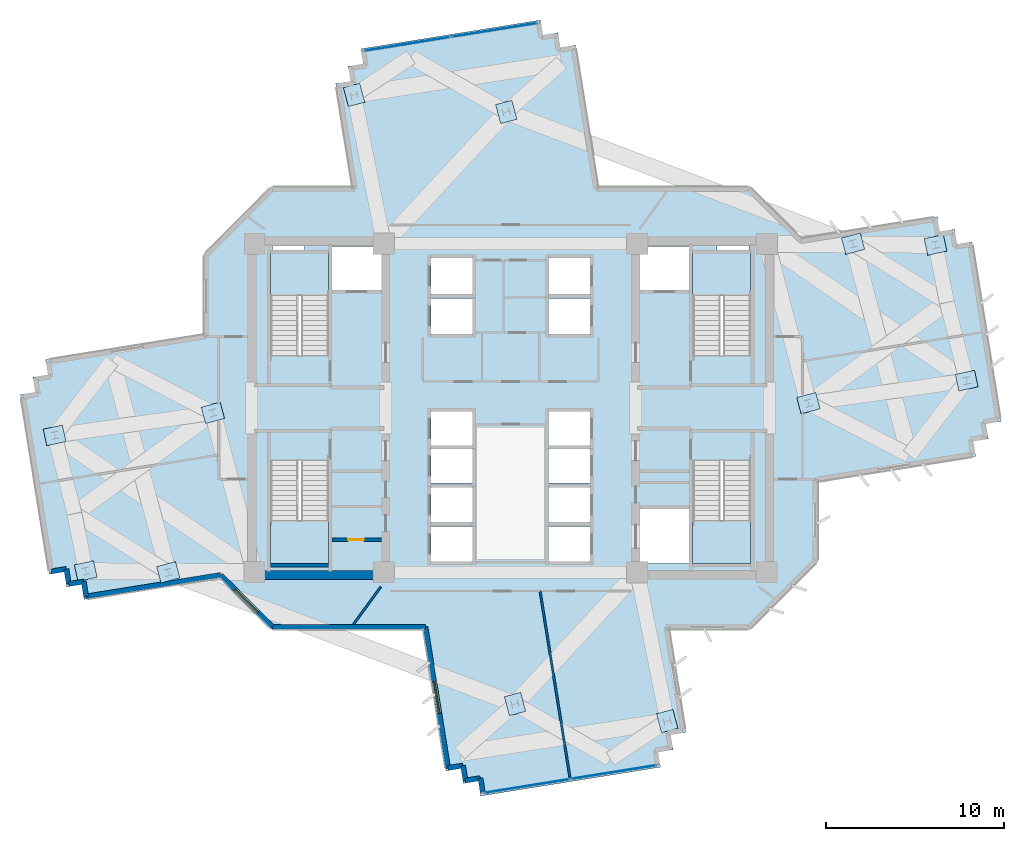
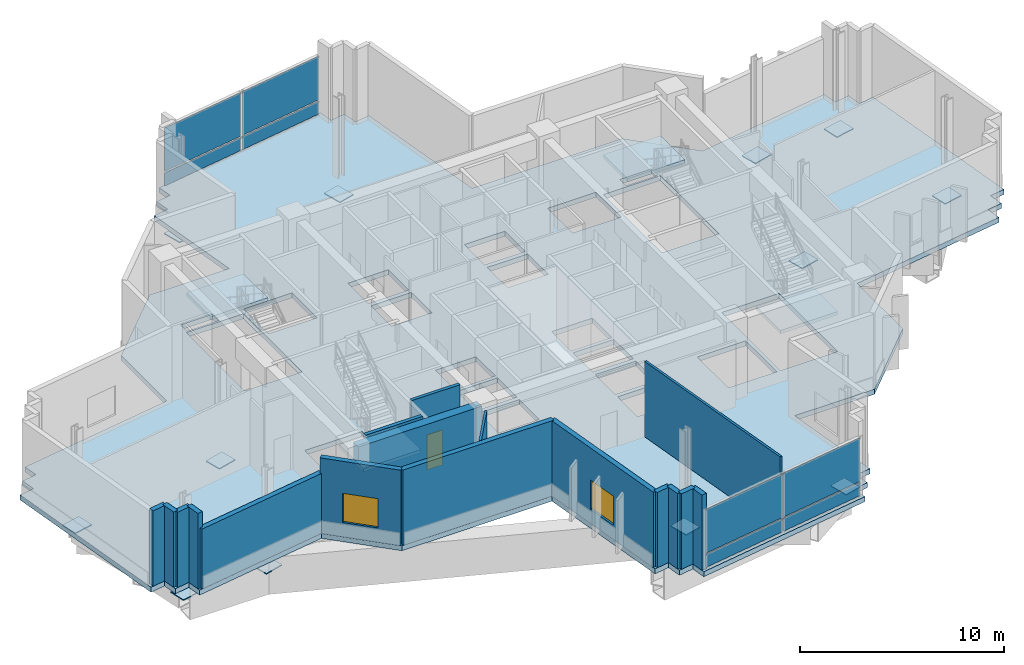
# One storey, part 4 of 12: 20 plates, 17 walls, 5 slabs, 2 windows, 1 door, 3 openings, 6 elements without a shape of their own.
"""IFC4 building model written with IfcOpenShell, lengths in metres."""

from ifc_helpers import new_model, si_unit, direction, frame, frame_2d, origin, origin_2d, place, context, subcontext, project, spatial, polyline, rectangle, outline, extrude, source, transform, mapped, material, layer, layer_set, type_object, element, fill, aggregate, save


model = new_model("IFC4")

# Units and contexts
model_context = context("Model", 3, precision=1e-05, world=origin(), true_north=direction((0.0, 1.0)))
body_context = subcontext(model_context, "Body", "Model", "MODEL_VIEW")
ifc_project = project(units=[si_unit("LENGTHUNIT", "METRE"), si_unit("AREAUNIT", "SQUARE_METRE"), si_unit("VOLUMEUNIT", "CUBIC_METRE"), si_unit("PLANEANGLEUNIT", "RADIAN"), si_unit("MASSUNIT", "GRAM", prefix="KILO")], contexts=[model_context])

# Site, building, storey
site_placement = place(None, origin())
site = spatial("IfcSite", under=ifc_project, at=site_placement, CompositionType="ELEMENT")
building_placement = place(site_placement, origin())
building = spatial("IfcBuilding", under=site, at=building_placement, Name="Zahravan Cultural Tower", CompositionType="ELEMENT")
storey_placement = place(building_placement, frame((0.0, 0.0, 130.800048828125)))
storey = spatial("IfcBuildingStorey", under=building, at=storey_placement, Name="L29", CompositionType="ELEMENT", Elevation=130.800048828125)

# Slab
ifc_material_1 = material(Name="Concrete C45/55", Category="concrete")
ifc_layer_1 = layer(ifc_material_1, 0.300048828125)
ifc_layer_set_1 = layer_set([ifc_layer_1], Name="Concrete C45/55")
slab_type_1 = type_object("IfcSlabType", Name="SL-POD-300", PredefinedType="FLOOR", material=ifc_layer_set_1)
slab_1_placement = place(storey_placement, frame((0.0, 0.0, -0.300048828125)))
element("IfcSlab", 1, at=slab_1_placement, inside=storey, type_object=slab_type_1, Name="L29 Structural Floor Slab", PredefinedType="FLOOR", context=body_context, shape_type="SweptSolid", body=[
    extrude(outline(polyline([(52.296630859375, 36.50341796875), (49.39990234375, 39.39990234375), (40.896484375, 39.39990234375), (39.623291015625, 47.331298828125), (38.783935546875, 47.196533203125), (38.6494140625, 48.035888671875), (37.81005859375, 47.901123046875), (37.67529296875, 48.740478515625), (27.604248046875, 47.12353515625), (27.739013671875, 46.284423828125), (26.899658203125, 46.149658203125), (27.034423828125, 45.310302734375), (26.1953125, 45.17578125), (27.122314453125, 39.39990234375), (22.60009765625, 39.39990234375), (18.800048828125, 35.60009765625), (18.800048828125, 31.1259765625), (9.94189453125, 29.703857421875), (10.07666015625, 28.86474609375), (9.237548828125, 28.72998046875), (9.372314453125, 27.890625), (8.532958984375, 27.756103515625), (10.149658203125, 17.684814453125), (10.989013671875, 17.819580078125), (11.123779296875, 16.98046875), (11.962890625, 17.114990234375), (12.09765625, 16.27587890625), (19.703369140625, 17.49658203125), (22.60009765625, 14.60009765625), (31.103515625, 14.60009765625), (32.376708984375, 6.668701171875), (33.216064453125, 6.803466796875), (33.3505859375, 5.964111328125), (34.18994140625, 6.098876953125), (34.32470703125, 5.259521484375), (44.395751953125, 6.87646484375), (44.260986328125, 7.715576171875), (45.100341796875, 7.850341796875), (44.965576171875, 8.689697265625), (45.8046875, 8.82421875), (44.877685546875, 14.60009765625), (49.39990234375, 14.60009765625), (53.199951171875, 18.39990234375), (53.199951171875, 22.8740234375), (62.05810546875, 24.296142578125), (61.92333984375, 25.13525390625), (62.762451171875, 25.27001953125), (62.627685546875, 26.109375), (63.467041015625, 26.243896484375), (61.850341796875, 36.315185546875), (61.010986328125, 36.180419921875), (60.876220703125, 37.01953125), (60.037109375, 36.885009765625), (59.90234375, 37.72412109375), (52.296630859375, 36.50341796875)]), holes=[polyline([(22.550048828125, 29.949951171875), (22.550048828125, 35.699951171875), (25.800048828125, 35.699951171875), (25.800048828125, 29.949951171875), (22.550048828125, 29.949951171875)]), polyline([(22.550048828125, 18.300048828125), (22.550048828125, 24.050048828125), (25.800048828125, 24.050048828125), (25.800048828125, 18.300048828125), (22.550048828125, 18.300048828125)]), polyline([(46.199951171875, 29.949951171875), (46.199951171875, 35.699951171875), (49.449951171875, 35.699951171875), (49.449951171875, 29.949951171875), (46.199951171875, 29.949951171875)]), polyline([(46.199951171875, 18.300048828125), (46.199951171875, 24.050048828125), (49.449951171875, 24.050048828125), (49.449951171875, 18.300048828125), (46.199951171875, 18.300048828125)]), polyline([(26.0, 33.60009765625), (26.0, 36.050048828125), (28.75, 36.050048828125), (28.75, 33.60009765625), (26.0, 33.60009765625)]), polyline([(43.25, 33.60009765625), (43.25, 36.050048828125), (46.0, 36.050048828125), (46.0, 33.60009765625), (43.25, 33.60009765625)]), polyline([(43.25, 18.300048828125), (43.25, 21.35009765625), (46.0, 21.35009765625), (46.0, 18.300048828125), (43.25, 18.300048828125)]), polyline([(31.550048828125, 33.39990234375), (31.550048828125, 35.39990234375), (33.85009765625, 35.39990234375), (33.85009765625, 33.39990234375), (31.550048828125, 33.39990234375)]), polyline([(31.550048828125, 31.14990234375), (31.550048828125, 33.14990234375), (33.85009765625, 33.14990234375), (33.85009765625, 31.14990234375), (31.550048828125, 31.14990234375)]), polyline([(38.14990234375, 33.39990234375), (38.14990234375, 35.39990234375), (40.449951171875, 35.39990234375), (40.449951171875, 33.39990234375), (38.14990234375, 33.39990234375)]), polyline([(38.14990234375, 31.14990234375), (38.14990234375, 33.14990234375), (40.449951171875, 33.14990234375), (40.449951171875, 31.14990234375), (38.14990234375, 31.14990234375)]), polyline([(31.550048828125, 20.60009765625), (31.550048828125, 22.550048828125), (33.85009765625, 22.550048828125), (33.85009765625, 20.60009765625), (31.550048828125, 20.60009765625)]), polyline([(31.550048828125, 18.39990234375), (31.550048828125, 20.35009765625), (33.85009765625, 20.35009765625), (33.85009765625, 18.39990234375), (31.550048828125, 18.39990234375)]), polyline([(38.14990234375, 20.60009765625), (38.14990234375, 22.550048828125), (40.449951171875, 22.550048828125), (40.449951171875, 20.60009765625), (38.14990234375, 20.60009765625)]), polyline([(38.14990234375, 18.39990234375), (38.14990234375, 20.35009765625), (40.449951171875, 20.35009765625), (40.449951171875, 18.39990234375), (38.14990234375, 18.39990234375)]), polyline([(31.550048828125, 24.89990234375), (31.550048828125, 26.800048828125), (33.85009765625, 26.800048828125), (33.85009765625, 24.89990234375), (31.550048828125, 24.89990234375)]), polyline([(31.550048828125, 22.800048828125), (31.550048828125, 24.699951171875), (33.85009765625, 24.699951171875), (33.85009765625, 22.800048828125), (31.550048828125, 22.800048828125)]), polyline([(38.14990234375, 24.89990234375), (38.14990234375, 26.800048828125), (40.449951171875, 26.800048828125), (40.449951171875, 24.89990234375), (38.14990234375, 24.89990234375)]), polyline([(38.14990234375, 22.800048828125), (38.14990234375, 24.699951171875), (40.449951171875, 24.699951171875), (40.449951171875, 22.800048828125), (38.14990234375, 22.800048828125)]), polyline([(22.64990234375, 35.800048828125), (22.64990234375, 36.419921875), (24.449951171875, 36.419921875), (24.449951171875, 35.800048828125), (22.64990234375, 35.800048828125)]), polyline([(47.550048828125, 35.800048828125), (47.550048828125, 36.419921875), (49.35009765625, 36.419921875), (49.35009765625, 35.800048828125), (47.550048828125, 35.800048828125)])]), origin(), (0.0, 0.0, 1.0), 0.300048828125),
])

# Stair, slab
stair_type = type_object("IfcStairType", Name="STR-DL-1550-480", PredefinedType="HALF_TURN_STAIR", material=ifc_material_1)
stair_1_placement = place(storey_placement, origin())
stair_1 = element("IfcStair", 2, at=stair_1_placement, inside=storey, type_object=stair_type, Name="L29 West Core North Exit Stair ST-W1", PredefinedType="HALF_TURN_STAIR")
ifc_layer_2 = layer(ifc_material_1, 0.199951171875)
ifc_layer_set_2 = layer_set([ifc_layer_2], Name="Concrete C45/55")
slab_type_2 = type_object("IfcSlabType", Name="SL-STAIR-LND200", PredefinedType="LANDING", material=ifc_layer_set_2)
slab_2_placement = place(storey_placement, frame((0.0, 0.0, 2.199951171875)))
slab_2 = element("IfcSlab", 3, at=slab_2_placement, type_object=slab_type_2, Name="ST-W1 landing 1", PredefinedType="LANDING", context=body_context, shape_type="SweptSolid", body=[
    extrude(outline(polyline([(25.800048828125, 33.31005859375), (25.800048828125, 35.699951171875), (22.550048828125, 35.699951171875), (22.550048828125, 33.31005859375), (25.800048828125, 33.31005859375)])), origin(), (0.0, 0.0, 1.0), 0.199951171875),
])
aggregate(stair_1, [slab_2])

stair_2_placement = place(storey_placement, origin())
stair_2 = element("IfcStair", 4, at=stair_2_placement, inside=storey, type_object=stair_type, Name="L29 West Core South Exit Stair ST-W2", PredefinedType="HALF_TURN_STAIR")
slab_3_placement = place(storey_placement, frame((0.0, 0.0, 2.199951171875)))
slab_3 = element("IfcSlab", 5, at=slab_3_placement, type_object=slab_type_2, Name="ST-W2 landing 1", PredefinedType="LANDING", context=body_context, shape_type="SweptSolid", body=[
    extrude(outline(polyline([(22.550048828125, 20.68994140625), (22.550048828125, 18.300048828125), (25.800048828125, 18.300048828125), (25.800048828125, 20.68994140625), (22.550048828125, 20.68994140625)])), origin(), (0.0, 0.0, 1.0), 0.199951171875),
])
aggregate(stair_2, [slab_3])

stair_3_placement = place(storey_placement, origin())
stair_3 = element("IfcStair", 6, at=stair_3_placement, inside=storey, type_object=stair_type, Name="L29 East Core North Exit Stair ST-E1", PredefinedType="HALF_TURN_STAIR")
slab_4_placement = place(storey_placement, frame((0.0, 0.0, 2.199951171875)))
slab_4 = element("IfcSlab", 7, at=slab_4_placement, type_object=slab_type_2, Name="ST-E1 landing 1", PredefinedType="LANDING", context=body_context, shape_type="SweptSolid", body=[
    extrude(outline(polyline([(49.449951171875, 33.31005859375), (49.449951171875, 35.699951171875), (46.199951171875, 35.699951171875), (46.199951171875, 33.31005859375), (49.449951171875, 33.31005859375)])), origin(), (0.0, 0.0, 1.0), 0.199951171875),
])
aggregate(stair_3, [slab_4])

stair_4_placement = place(storey_placement, origin())
stair_4 = element("IfcStair", 8, at=stair_4_placement, inside=storey, type_object=stair_type, Name="L29 East Core South Exit Stair ST-E2", PredefinedType="HALF_TURN_STAIR")
slab_5_placement = place(storey_placement, frame((0.0, 0.0, 2.199951171875)))
slab_5 = element("IfcSlab", 9, at=slab_5_placement, type_object=slab_type_2, Name="ST-E2 landing 1", PredefinedType="LANDING", context=body_context, shape_type="SweptSolid", body=[
    extrude(outline(polyline([(46.199951171875, 20.68994140625), (46.199951171875, 18.300048828125), (49.449951171875, 18.300048828125), (49.449951171875, 20.68994140625), (46.199951171875, 20.68994140625)])), origin(), (0.0, 0.0, 1.0), 0.199951171875),
])
aggregate(stair_4, [slab_5])

# Plates
ifc_material_2 = material(Name="Steel ASTM A572 Grade 50", Category="steel")
ifc_layer_3 = layer(ifc_material_2, 0.06005859375)
ifc_layer_set_3 = layer_set([ifc_layer_3], Name="Steel ASTM A572 Grade 50")
plate_type_1 = type_object("IfcPlateType", Name="PL-NODE-60", PredefinedType="SHEET", material=ifc_layer_set_3)
shared_shape_1 = source(origin(), body_context, "Body", "SweptSolid", [
    extrude(rectangle(XDim=1.10009765625, YDim=0.949951171875, at=origin_2d()), origin(), (0.0, 0.0, 1.0), 0.06005859375),
])
for number, where, z_axis, x_axis, name in (
    (10, (19.315673828125, 26.72900390625, -1.130126953125), (0.0, 0.0, 1.0), (0.966823388604, 0.255445757936, 0.0), "L29 Transfer Node Plate TN2"),
    (11, (10.447265625, 25.46533203125, -1.130126953125), (0.0, 0.0, 1.0), (0.977415894286, 0.211324796455, 0.0), "L29 Transfer Node Plate TN2"),
    (12, (12.193359375, 17.86279296875, -1.130126953125), (0.0, 0.0, 1.0), (0.977415894286, 0.211324796455, 0.0), "L29 Transfer Node Plate TN2"),
    (13, (16.815185546875, 17.7939453125, -1.130126953125), (0.0, 0.0, 1.0), (0.966823388604, 0.255445757936, 0.0), "L29 Transfer Node Plate TN2"),
    (14, (36.245361328125, 10.412353515625, -1.130126953125), (0.0, 0.0, 1.0), (-0.255445757936, 0.966823388604, 0.0), "L29 Transfer Node Plate TN2"),
    (15, (44.77197265625, 9.458740234375, -1.130126953125), (0.0, 0.0, 1.0), (-0.255445757936, 0.966823388604, 0.0), "L29 Transfer Node Plate TN2"),
    (16, (52.684326171875, 27.27099609375, -1.130126953125), (0.0, 0.0, 1.0), (0.966823388604, 0.255445757936, 0.0), "L29 Transfer Node Plate TN2"),
    (17, (61.552734375, 28.53466796875, -1.130126953125), (0.0, 0.0, 1.0), (0.977415894286, 0.211324796455, 0.0), "L29 Transfer Node Plate TN2"),
    (18, (59.806640625, 36.13720703125, -1.130126953125), (0.0, 0.0, 1.0), (0.977415894286, 0.211324796455, 0.0), "L29 Transfer Node Plate TN2"),
    (19, (55.184814453125, 36.2060546875, -1.130126953125), (0.0, 0.0, 1.0), (0.966823388604, 0.255445757936, 0.0), "L29 Transfer Node Plate TN2"),
    (20, (35.754638671875, 43.587646484375, -1.130126953125), (0.0, 0.0, 1.0), (-0.255445757936, 0.966823388604, 0.0), "L29 Transfer Node Plate TN2"),
    (21, (27.22802734375, 44.541259765625, -1.130126953125), (0.0, 0.0, 1.0), (-0.255445757936, 0.966823388604, 0.0), "L29 Transfer Node Plate TN2"),
):
    element("IfcPlate", number, at=place(storey_placement, frame(where, z_axis=z_axis, x_axis=x_axis)), inside=storey, type_object=plate_type_1, Name=name, PredefinedType="SHEET", context=body_context, shape_type="MappedRepresentation", body=[
        mapped(shared_shape_1, transform((0.0, 0.0, 0.0), x_axis=(1.0, 0.0, 0.0), y_axis=(0.0, 1.0, 0.0), z_axis=(0.0, 0.0, 1.0), scale=1.0)),
    ])

# Curtain wall, plates
ifc_material_3 = material(Name="Anodised bronze-aluminium mullion", Category="aluminium")
ifc_layer_4 = layer(ifc_material_3, 0.239990234375)
ifc_layer_set_4 = layer_set([ifc_layer_4], Name="Anodised bronze-aluminium mullion")
curtain_wall_type = type_object("IfcCurtainWallType", Name="CW-SYS-5", PredefinedType="USERDEFINED", material=ifc_layer_set_4)
curtain_wall_1_placement = place(storey_placement, origin())
curtain_wall_1 = element("IfcCurtainWall", 22, at=curtain_wall_1_placement, inside=storey, type_object=curtain_wall_type, Name="L29 Recessed Curtain Wall CW-5.1", ObjectType="RECESSED GLAZING", PredefinedType="USERDEFINED")
ifc_material_4 = material(Name="Low-E solar-control double glazing", Category="glass")
ifc_layer_5 = layer(ifc_material_4, 0.035888671875)
ifc_layer_set_5 = layer_set([ifc_layer_5], Name="Low-E solar-control double glazing")
plate_type_2 = type_object("IfcPlateType", Name="CWP-CW-5", PredefinedType="CURTAIN_PANEL", material=ifc_layer_set_5)
shared_shape_2 = source(origin(), body_context, "Body", "SweptSolid", [
    extrude(rectangle(XDim=4.83251953125, YDim=0.035888671875, at=origin_2d()), origin(), (0.0, 0.0, 1.0), 0.7724609375),
])
plate_1_placement = place(storey_placement, frame((41.765625, 6.595947265625, 0.0849609375), z_axis=(0.0, 0.0, 1.0), x_axis=(-0.987357965773, -0.158506300899, 0.0)))
plate_1 = element("IfcPlate", 23, at=plate_1_placement, type_object=plate_type_2, Name="CW-5 panel 1.1", PredefinedType="CURTAIN_PANEL", context=body_context, shape_type="MappedRepresentation", body=[
    mapped(shared_shape_2, transform((0.0, 0.0, 0.0), x_axis=(1.0, 0.0, 0.0), y_axis=(0.0, 1.0, 0.0), z_axis=(0.0, 0.0, 1.0), scale=1.0)),
])
plate_2_placement = place(storey_placement, frame((36.910400390625, 5.81640625, 0.0849609375), z_axis=(0.0, 0.0, 1.0), x_axis=(-0.987357965773, -0.158506300899, 0.0)))
plate_2 = element("IfcPlate", 24, at=plate_2_placement, type_object=plate_type_2, Name="CW-5 panel 2.1", PredefinedType="CURTAIN_PANEL", context=body_context, shape_type="MappedRepresentation", body=[
    mapped(shared_shape_2, transform((0.0, 0.0, 0.0), x_axis=(1.0, 0.0, 0.0), y_axis=(0.0, 1.0, 0.0), z_axis=(0.0, 0.0, 1.0), scale=1.0)),
])

curtain_wall_2_placement = place(storey_placement, origin())
curtain_wall_2 = element("IfcCurtainWall", 25, at=curtain_wall_2_placement, inside=storey, type_object=curtain_wall_type, Name="L29 Recessed Curtain Wall CW-5.2", ObjectType="RECESSED GLAZING", PredefinedType="USERDEFINED")
plate_3_placement = place(storey_placement, frame((30.234375, 47.404052734375, 0.0849609375), z_axis=(0.0, 0.0, 1.0), x_axis=(0.987357965773, 0.158506300899, 0.0)))
plate_3 = element("IfcPlate", 26, at=plate_3_placement, type_object=plate_type_2, Name="CW-5 panel 1.1", PredefinedType="CURTAIN_PANEL", context=body_context, shape_type="MappedRepresentation", body=[
    mapped(shared_shape_2, transform((0.0, 0.0, 0.0), x_axis=(1.0, 0.0, 0.0), y_axis=(0.0, 1.0, 0.0), z_axis=(0.0, 0.0, 1.0), scale=1.0)),
])
plate_4_placement = place(storey_placement, frame((35.089599609375, 48.18359375, 0.0849609375), z_axis=(0.0, 0.0, 1.0), x_axis=(0.987357965773, 0.158506300899, 0.0)))
plate_4 = element("IfcPlate", 27, at=plate_4_placement, type_object=plate_type_2, Name="CW-5 panel 2.1", PredefinedType="CURTAIN_PANEL", context=body_context, shape_type="MappedRepresentation", body=[
    mapped(shared_shape_2, transform((0.0, 0.0, 0.0), x_axis=(1.0, 0.0, 0.0), y_axis=(0.0, 1.0, 0.0), z_axis=(0.0, 0.0, 1.0), scale=1.0)),
])

# Plate
shared_shape_3 = source(origin(), body_context, "Body", "SweptSolid", [
    extrude(rectangle(XDim=4.83251953125, YDim=0.035888671875, at=origin_2d()), origin(), (0.0, 0.0, 1.0), 2.612548828125),
])
plate_5_placement = place(storey_placement, frame((41.765625, 6.595947265625, 0.9423828125), z_axis=(0.0, 0.0, 1.0), x_axis=(-0.987357965773, -0.158506300899, 0.0)))
plate_5 = element("IfcPlate", 28, at=plate_5_placement, type_object=plate_type_2, Name="CW-5 panel 1.2", PredefinedType="CURTAIN_PANEL", context=body_context, shape_type="MappedRepresentation", body=[
    mapped(shared_shape_3, transform((0.0, 0.0, 0.0), x_axis=(1.0, 0.0, 0.0), y_axis=(0.0, 1.0, 0.0), z_axis=(0.0, 0.0, 1.0), scale=1.0)),
])

plate_6_placement = place(storey_placement, frame((36.910400390625, 5.81640625, 0.9423828125), z_axis=(0.0, 0.0, 1.0), x_axis=(-0.987357965773, -0.158506300899, 0.0)))
plate_6 = element("IfcPlate", 29, at=plate_6_placement, type_object=plate_type_2, Name="CW-5 panel 2.2", PredefinedType="CURTAIN_PANEL", context=body_context, shape_type="MappedRepresentation", body=[
    mapped(shared_shape_3, transform((0.0, 0.0, 0.0), x_axis=(1.0, 0.0, 0.0), y_axis=(0.0, 1.0, 0.0), z_axis=(0.0, 0.0, 1.0), scale=1.0)),
])

aggregate(curtain_wall_1, [plate_1, plate_5, plate_2, plate_6])

plate_7_placement = place(storey_placement, frame((30.234375, 47.404052734375, 0.9423828125), z_axis=(0.0, 0.0, 1.0), x_axis=(0.987357965773, 0.158506300899, 0.0)))
plate_7 = element("IfcPlate", 30, at=plate_7_placement, type_object=plate_type_2, Name="CW-5 panel 1.2", PredefinedType="CURTAIN_PANEL", context=body_context, shape_type="MappedRepresentation", body=[
    mapped(shared_shape_3, transform((0.0, 0.0, 0.0), x_axis=(1.0, 0.0, 0.0), y_axis=(0.0, 1.0, 0.0), z_axis=(0.0, 0.0, 1.0), scale=1.0)),
])

plate_8_placement = place(storey_placement, frame((35.089599609375, 48.18359375, 0.9423828125), z_axis=(0.0, 0.0, 1.0), x_axis=(0.987357965773, 0.158506300899, 0.0)))
plate_8 = element("IfcPlate", 31, at=plate_8_placement, type_object=plate_type_2, Name="CW-5 panel 2.2", PredefinedType="CURTAIN_PANEL", context=body_context, shape_type="MappedRepresentation", body=[
    mapped(shared_shape_3, transform((0.0, 0.0, 0.0), x_axis=(1.0, 0.0, 0.0), y_axis=(0.0, 1.0, 0.0), z_axis=(0.0, 0.0, 1.0), scale=1.0)),
])

aggregate(curtain_wall_2, [plate_3, plate_7, plate_4, plate_8])

# Wall, opening, window
ifc_material_5 = material(Name="Precast concrete C40/50", Category="concrete")
ifc_layer_6 = layer(ifc_material_5, 0.280029296875)
ifc_layer_set_6 = layer_set([ifc_layer_6], Name="Precast concrete C40/50")
wall_type_1 = type_object("IfcWallType", Name="EW-TC-280", PredefinedType="SOLIDWALL", material=ifc_layer_set_6)
wall_1_placement = place(storey_placement, frame((32.492919921875, 6.8291015625, 0.0), z_axis=(0.0, 0.0, 1.0), x_axis=(-0.158511008443, 0.987357210032, 0.0)))
wall_1 = element("IfcWall", 32, at=wall_1_placement, inside=storey, type_object=wall_type_1, Name="L29 Exterior Masonry Frame Wall 24", PredefinedType="SOLIDWALL", context=body_context, shape_type="SweptSolid", body=[
    extrude(rectangle(XDim=8.01220703125, YDim=0.280029296875, at=frame_2d((4.006103515625, 0.0))), origin(), (0.0, 0.0, 1.0), 4.52001953125),
])
opening_1_placement = place(wall_1_placement, frame((3.10595703125, 0.0, 0.85009765625)))
opening_1 = element("IfcOpeningElement", 33, at=opening_1_placement, cuts=wall_1, Name="Opening WN-02", PredefinedType="OPENING", context=body_context, shape_type="SweptSolid", body=[
    extrude(rectangle(XDim=1.800048828125, YDim=1.75, at=frame_2d((0.89990234375, 0.875))), frame((0.0, 0.14990234375, 0.0), z_axis=(0.0, -1.0, 0.0), x_axis=(1.0, 0.0, 0.0)), (0.0, 0.0, 1.0), 0.300048828125),
])
window_type = type_object("IfcWindowType", Name="WN-REC-1800X1750", PartitioningType="DOUBLE_PANEL_VERTICAL", PredefinedType="WINDOW", material=ifc_material_4)
shared_shape_4 = source(origin(), body_context, "Body", "SweptSolid", [
    extrude(rectangle(XDim=1.800048828125, YDim=1.75, at=frame_2d((0.89990234375, 0.875))), frame((0.0, 0.030029296875, 0.0), z_axis=(0.0, -1.0, 0.0), x_axis=(1.0, 0.0, 0.0)), (0.0, 0.0, 1.0), 0.06005859375),
])
window_1_placement = place(opening_1_placement, origin())
window_1 = element("IfcWindow", 34, at=window_1_placement, inside=storey, type_object=window_type, Name="L29 Recessed Solar Window 05", OverallHeight=1.75, OverallWidth=1.800048828125, PartitioningType="DOUBLE_PANEL_VERTICAL", PredefinedType="WINDOW", context=body_context, shape_type="MappedRepresentation", body=[
    mapped(shared_shape_4, transform((0.0, 0.0, 0.0), x_axis=(1.0, 0.0, 0.0), y_axis=(0.0, 1.0, 0.0), z_axis=(0.0, 0.0, 1.0), scale=1.0)),
])
fill(opening_1, window_1)

wall_2_placement = place(storey_placement, frame((22.657958984375, 14.739990234375, 0.0), z_axis=(0.0, 0.0, 1.0), x_axis=(-0.707106781187, 0.707106781187, 0.0)))
wall_2 = element("IfcWall", 35, at=wall_2_placement, inside=storey, type_object=wall_type_1, Name="L29 Exterior Masonry Frame Wall 26", PredefinedType="SOLIDWALL", context=body_context, shape_type="SweptSolid", body=[
    extrude(rectangle(XDim=4.110107421875, YDim=0.280029296875, at=frame_2d((2.05517578125, 0.0))), origin(), (0.0, 0.0, 1.0), 4.52001953125),
])
opening_2_placement = place(wall_2_placement, frame((1.155029296875, 0.0, 0.85009765625)))
opening_2 = element("IfcOpeningElement", 36, at=opening_2_placement, cuts=wall_2, Name="Opening WN-02", PredefinedType="OPENING", context=body_context, shape_type="SweptSolid", body=[
    extrude(rectangle(XDim=1.800048828125, YDim=1.75, at=frame_2d((0.89990234375, 0.875))), frame((0.0, 0.14990234375, 0.0), z_axis=(0.0, -1.0, 0.0), x_axis=(1.0, 0.0, 0.0)), (0.0, 0.0, 1.0), 0.300048828125),
])
window_2_placement = place(opening_2_placement, origin())
window_2 = element("IfcWindow", 37, at=window_2_placement, inside=storey, type_object=window_type, Name="L29 Recessed Solar Window 06", OverallHeight=1.75, OverallWidth=1.800048828125, PartitioningType="DOUBLE_PANEL_VERTICAL", PredefinedType="WINDOW", context=body_context, shape_type="MappedRepresentation", body=[
    mapped(shared_shape_4, transform((0.0, 0.0, 0.0), x_axis=(1.0, 0.0, 0.0), y_axis=(0.0, 1.0, 0.0), z_axis=(0.0, 0.0, 1.0), scale=1.0)),
])
fill(opening_2, window_2)

# Wall, opening, door
ifc_material_6 = material(Name="Gypsum plasterboard partition")
ifc_layer_7 = layer(ifc_material_6, 0.179931640625)
ifc_layer_set_7 = layer_set([ifc_layer_7], Name="Gypsum plasterboard partition")
wall_type_2 = type_object("IfcWallType", Name="W-COMP-180", PredefinedType="PARTITIONING", material=ifc_layer_set_7)
wall_3_placement = place(storey_placement, frame((26.0, 19.6201171875, 0.0), z_axis=(0.0, 0.0, 1.0), x_axis=(1.0, 0.0, 0.0)))
wall_3 = element("IfcWall", 38, at=wall_3_placement, inside=storey, type_object=wall_type_2, Name="L29 Interior Wall 026", PredefinedType="PARTITIONING", context=body_context, shape_type="SweptSolid", body=[
    extrude(rectangle(XDim=2.75, YDim=0.179931640625, at=frame_2d((1.375, 0.0))), origin(), (0.0, 0.0, 1.0), 4.52001953125),
])
opening_3_placement = place(wall_3_placement, frame((0.89990234375, 0.0, 0.0)))
opening_3 = element("IfcOpeningElement", 39, at=opening_3_placement, cuts=wall_3, Name="Opening D-L29-09", PredefinedType="OPENING", context=body_context, shape_type="SweptSolid", body=[
    extrude(rectangle(XDim=0.8798828125, YDim=2.10009765625, at=frame_2d((0.43994140625, 1.050048828125))), frame((0.0, 0.099853515625, 0.0), z_axis=(0.0, -1.0, 0.0), x_axis=(1.0, 0.0, 0.0)), (0.0, 0.0, 1.0), 0.199951171875),
])
door_type = type_object("IfcDoorType", Name="DR-SVC-880", OperationType="NOTDEFINED", PredefinedType="DOOR", material=ifc_material_2)
shared_shape_5 = source(origin(), body_context, "Body", "SweptSolid", [
    extrude(rectangle(XDim=0.8798828125, YDim=2.10009765625, at=frame_2d((0.43994140625, 1.050048828125))), frame((0.0, 0.02490234375, 0.0), z_axis=(0.0, -1.0, 0.0), x_axis=(1.0, 0.0, 0.0)), (0.0, 0.0, 1.0), 0.050048828125),
])
door_placement = place(opening_3_placement, origin())
door = element("IfcDoor", 40, at=door_placement, inside=storey, type_object=door_type, Name="L29 Door D-L29-09", OperationType="SINGLE_SWING_RIGHT", OverallHeight=2.10009765625, OverallWidth=0.8798828125, PredefinedType="DOOR", context=body_context, shape_type="MappedRepresentation", body=[
    mapped(shared_shape_5, transform((0.0, 0.0, 0.0), x_axis=(1.0, 0.0, 0.0), y_axis=(0.0, 1.0, 0.0), z_axis=(0.0, 0.0, 1.0), scale=1.0)),
])
fill(opening_3, door)

# Walls
ifc_material_7 = material(Name="Concrete C60/75", Category="concrete")
ifc_layer_8 = layer(ifc_material_7, 0.5)
ifc_layer_set_8 = layer_set([ifc_layer_8], Name="Concrete C60/75")
wall_type_3 = type_object("IfcWallType", Name="CW-SHEAR-500-C60", PredefinedType="SHEAR", material=ifc_layer_set_8)
shared_shape_6 = source(origin(), body_context, "Body", "SweptSolid", [
    extrude(rectangle(XDim=7.0, YDim=0.5, at=frame_2d((3.5, 0.0))), origin(), (0.0, 0.0, 1.0), 4.52001953125),
])
wall_4_placement = place(storey_placement, frame((21.75, 17.64990234375, 0.0), z_axis=(0.0, 0.0, 1.0), x_axis=(1.0, 0.0, 0.0)))
element("IfcWall", 41, at=wall_4_placement, inside=storey, type_object=wall_type_3, Name="L29 Core Shear Wall CW-W-S-L29", PredefinedType="SHEAR", context=body_context, shape_type="MappedRepresentation", body=[
    mapped(shared_shape_6, transform((0.0, 0.0, 0.0), x_axis=(1.0, 0.0, 0.0), y_axis=(0.0, 1.0, 0.0), z_axis=(0.0, 0.0, 1.0), scale=1.0)),
])
shared_shape_7 = source(origin(), body_context, "Body", "SweptSolid", [
    extrude(rectangle(XDim=7.634521484375, YDim=0.280029296875, at=frame_2d((3.8173828125, 0.0))), origin(), (0.0, 0.0, 1.0), 3.593017578125),
])
wall_5_placement = place(storey_placement, frame((19.751708984375, 17.646240234375, 0.0), z_axis=(0.0, 0.0, 1.0), x_axis=(-0.987361485622, -0.158484373712, 0.0)))
element("IfcWall", 42, at=wall_5_placement, inside=storey, type_object=wall_type_1, Name="L29 Exterior Masonry Frame Wall 27", PredefinedType="SOLIDWALL", context=body_context, shape_type="MappedRepresentation", body=[
    mapped(shared_shape_7, transform((0.0, 0.0, 0.0), x_axis=(1.0, 0.0, 0.0), y_axis=(0.0, 1.0, 0.0), z_axis=(0.0, 0.0, 1.0), scale=1.0)),
])
shared_shape_8 = source(origin(), body_context, "Body", "SweptSolid", [
    extrude(rectangle(XDim=0.849853515625, YDim=0.280029296875, at=frame_2d((0.4248046875, 0.0))), origin(), (0.0, 0.0, 1.0), 4.52001953125),
])
for number, where, z_axis, x_axis, name in (
    (43, (34.305908203125, 6.25927734375, 0.0), (0.0, 0.0, 1.0), (-0.98734724292, -0.15857308062, 0.0), "L29 Exterior Masonry Frame Wall 21"),
    (44, (33.33203125, 6.9638671875, 0.0), (0.0, 0.0, 1.0), (-0.98734724292, -0.15857308062, 0.0), "L29 Exterior Masonry Frame Wall 23"),
    (45, (12.213623046875, 16.436279296875, 0.0), (0.0, 0.0, 1.0), (-0.15857308062, 0.98734724292, 0.0), "L29 Exterior Masonry Frame Wall 28"),
    (46, (12.078857421875, 17.275390625, 0.0), (0.0, 0.0, 1.0), (-0.987392182174, -0.158293014948, 0.0), "L29 Exterior Masonry Frame Wall 29"),
    (47, (11.23974609375, 17.140869140625, 0.0), (0.0, 0.0, 1.0), (-0.15857308062, 0.98734724292, 0.0), "L29 Exterior Masonry Frame Wall 30"),
):
    element("IfcWall", number, at=place(storey_placement, frame(where, z_axis=z_axis, x_axis=x_axis)), inside=storey, type_object=wall_type_1, Name=name, PredefinedType="SOLIDWALL", context=body_context, shape_type="MappedRepresentation", body=[
        mapped(shared_shape_8, transform((0.0, 0.0, 0.0), x_axis=(1.0, 0.0, 0.0), y_axis=(0.0, 1.0, 0.0), z_axis=(0.0, 0.0, 1.0), scale=1.0)),
    ])
shared_shape_9 = source(origin(), body_context, "Body", "SweptSolid", [
    extrude(rectangle(XDim=0.85009765625, YDim=0.280029296875, at=frame_2d((0.425048828125, 0.0))), origin(), (0.0, 0.0, 1.0), 4.52001953125),
])
for number, where, z_axis, x_axis, name in (
    (48, (34.440673828125, 5.419921875, 0.0), (0.0, 0.0, 1.0), (-0.158528116284, 0.987354463376, 0.0), "L29 Exterior Masonry Frame Wall 20"),
    (49, (33.466796875, 6.12451171875, 0.0), (0.0, 0.0, 1.0), (-0.158528116284, 0.987354463376, 0.0), "L29 Exterior Masonry Frame Wall 22"),
    (50, (11.10498046875, 17.97998046875, 0.0), (0.0, 0.0, 1.0), (-0.987354463376, -0.158528116284, 0.0), "L29 Exterior Masonry Frame Wall 31"),
):
    element("IfcWall", number, at=place(storey_placement, frame(where, z_axis=z_axis, x_axis=x_axis)), inside=storey, type_object=wall_type_1, Name=name, PredefinedType="SOLIDWALL", context=body_context, shape_type="MappedRepresentation", body=[
        mapped(shared_shape_9, transform((0.0, 0.0, 0.0), x_axis=(1.0, 0.0, 0.0), y_axis=(0.0, 1.0, 0.0), z_axis=(0.0, 0.0, 1.0), scale=1.0)),
    ])
shared_shape_10 = source(origin(), body_context, "Body", "SweptSolid", [
    extrude(rectangle(XDim=8.56494140625, YDim=0.280029296875, at=frame_2d((4.282470703125, 0.0))), origin(), (0.0, 0.0, 1.0), 4.52001953125),
])
wall_6_placement = place(storey_placement, frame((31.222900390625, 14.739990234375, 0.0), z_axis=(0.0, 0.0, 1.0), x_axis=(-1.0, 0.0, 0.0)))
element("IfcWall", 51, at=wall_6_placement, inside=storey, type_object=wall_type_1, Name="L29 Exterior Masonry Frame Wall 25", PredefinedType="SOLIDWALL", context=body_context, shape_type="MappedRepresentation", body=[
    mapped(shared_shape_10, transform((0.0, 0.0, 0.0), x_axis=(1.0, 0.0, 0.0), y_axis=(0.0, 1.0, 0.0), z_axis=(0.0, 0.0, 1.0), scale=1.0)),
])
ifc_layer_9 = layer(ifc_material_1, 0.199951171875)
ifc_layer_set_9 = layer_set([ifc_layer_9], Name="Concrete C45/55")
wall_type_4 = type_object("IfcWallType", Name="W-SHAFT-200", PredefinedType="SOLIDWALL", material=ifc_layer_set_9)
shared_shape_11 = source(origin(), body_context, "Body", "SweptSolid", [
    extrude(rectangle(XDim=3.25, YDim=0.199951171875, at=frame_2d((1.625, 0.0))), origin(), (0.0, 0.0, 1.0), 4.52001953125),
])
wall_7_placement = place(storey_placement, frame((22.550048828125, 18.199951171875, 0.0), z_axis=(0.0, 0.0, 1.0), x_axis=(1.0, 0.0, 0.0)))
element("IfcWall", 52, at=wall_7_placement, inside=storey, type_object=wall_type_4, Name="L29 Interior Wall 019", PredefinedType="SOLIDWALL", context=body_context, shape_type="MappedRepresentation", body=[
    mapped(shared_shape_11, transform((0.0, 0.0, 0.0), x_axis=(1.0, 0.0, 0.0), y_axis=(0.0, 1.0, 0.0), z_axis=(0.0, 0.0, 1.0), scale=1.0)),
])
ifc_layer_10 = layer(ifc_material_6, 0.125)
ifc_layer_set_10 = layer_set([ifc_layer_10], Name="Gypsum plasterboard partition")
wall_type_5 = type_object("IfcWallType", Name="W-PART-125", PredefinedType="PARTITIONING", material=ifc_layer_set_10)
shared_shape_12 = source(origin(), body_context, "Body", "SweptSolid", [
    extrude(rectangle(XDim=10.543701171875, YDim=0.125, at=frame_2d((5.27197265625, 0.0))), origin(), (0.0, 0.0, 1.0), 4.52001953125),
])
wall_8_placement = place(storey_placement, frame((37.64697265625, 16.739990234375, 0.0), z_axis=(0.0, 0.0, 1.0), x_axis=(0.158497112457, -0.987359440803, 0.0)))
element("IfcWall", 53, at=wall_8_placement, inside=storey, type_object=wall_type_5, Name="L29 Interior Wall 086", PredefinedType="PARTITIONING", context=body_context, shape_type="MappedRepresentation", body=[
    mapped(shared_shape_12, transform((0.0, 0.0, 0.0), x_axis=(1.0, 0.0, 0.0), y_axis=(0.0, 1.0, 0.0), z_axis=(0.0, 0.0, 1.0), scale=1.0)),
])
shared_shape_13 = source(origin(), body_context, "Body", "SweptSolid", [
    extrude(rectangle(XDim=2.594482421875, YDim=0.125, at=frame_2d((1.29736328125, 0.0))), origin(), (0.0, 0.0, 1.0), 4.52001953125),
])
wall_9_placement = place(storey_placement, frame((27.197021484375, 14.885009765625, 0.0), z_axis=(0.0, 0.0, 1.0), x_axis=(0.589910415932, 0.807468699811, 0.0)))
element("IfcWall", 54, at=wall_9_placement, inside=storey, type_object=wall_type_5, Name="L29 Interior Wall 087", PredefinedType="PARTITIONING", context=body_context, shape_type="MappedRepresentation", body=[
    mapped(shared_shape_13, transform((0.0, 0.0, 0.0), x_axis=(1.0, 0.0, 0.0), y_axis=(0.0, 1.0, 0.0), z_axis=(0.0, 0.0, 1.0), scale=1.0)),
])

save(model, "model.ifc")
